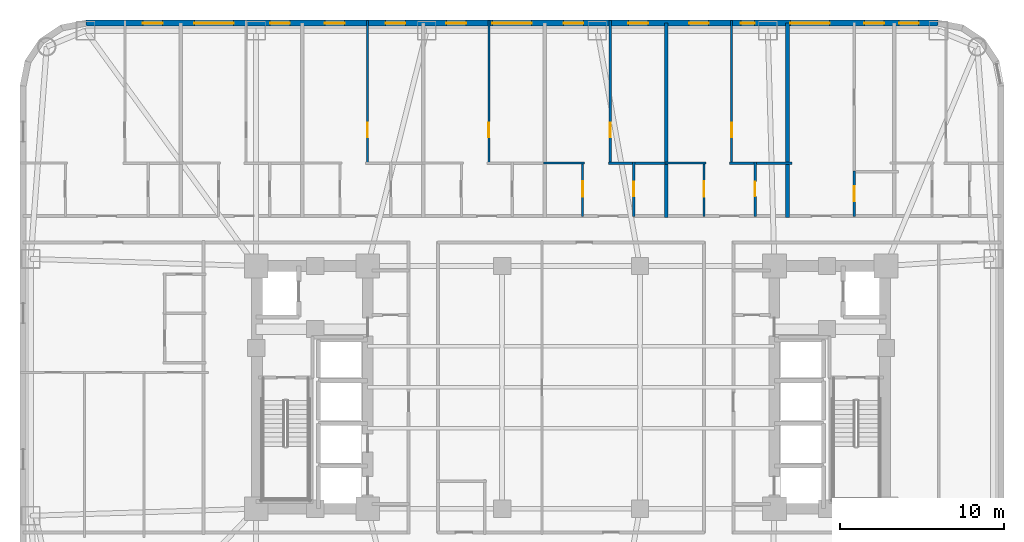
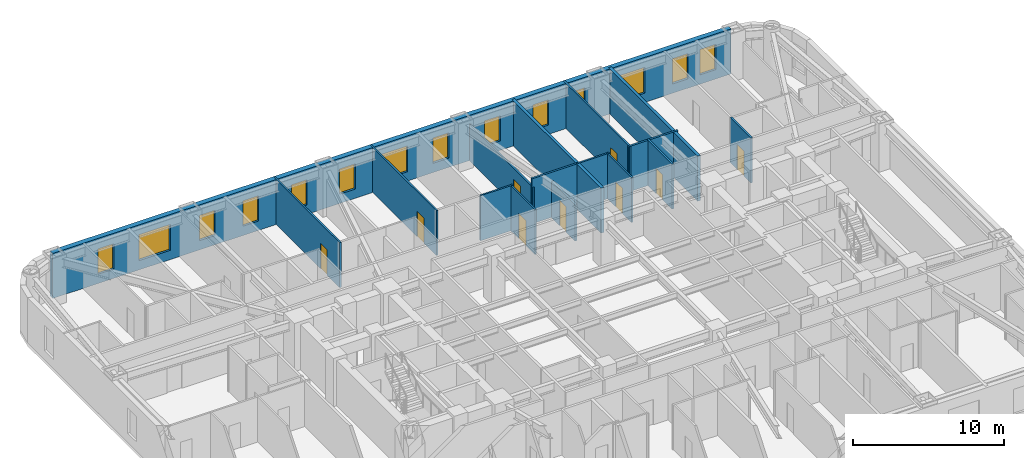
# One storey, part 8 of 11: 16 walls, 14 windows, 9 doors, 23 openings.
"""IFC4 building model written with IfcOpenShell, lengths in metres."""

import ifcopenshell
import ifcopenshell.guid

model = None  # the IFC model being written
_history = None  # IfcOwnerHistory: only IFC2X3 demands one
_inside = {}  # id of a spatial element -> (the spatial element, [elements in it])
_under = {}  # id of a project, library or spatial element -> (it, [spatial elements below it])
_declared = {}  # id of a project -> (the project, [libraries it declares])
_typed = {}  # id of a type object -> (the type object, [elements of that type])
_made_of = {}  # id of a material, layer set ... -> (it, [elements and type objects made of it])


def new_model(schema):
    """Start an empty IFC model of exactly this schema.

    Asked for "IFC4X3", IfcOpenShell would pick the latest addendum, in which some entities
    have other attributes; the version numbers below select the first issue.
    IFC2X3 requires an IfcOwnerHistory on every rooted entity: one is made here for all.
    """
    global model, _history
    if schema == "IFC4X3":
        model = ifcopenshell.file(schema_version=(4, 3, 0, 0))
    else:
        model = ifcopenshell.file(schema=schema)
    _inside.clear()
    _under.clear()
    _declared.clear()
    _typed.clear()
    _made_of.clear()
    _history = None
    if model.schema == "IFC2X3":
        org = make("IfcOrganization", Name="unknown")
        user = make(
            "IfcPersonAndOrganization",
            ThePerson=make("IfcPerson", FamilyName="unknown"),
            TheOrganization=org,
        )
        app = make(
            "IfcApplication",
            ApplicationDeveloper=org,
            Version="unknown",
            ApplicationFullName="unknown",
            ApplicationIdentifier="unknown",
        )
        _history = make(
            "IfcOwnerHistory",
            OwningUser=user,
            OwningApplication=app,
            ChangeAction="ADDED",
            CreationDate=0,
        )
    return model


def make(cls, **values):
    """One entity of the class cls with the attributes given. An attribute that is None is left unset."""
    return model.create_entity(
        cls, **{name: value for name, value in values.items() if value is not None}
    )


def rooted(cls, **values):
    """An entity with a GlobalId (a new one), such as an element, a storey or a relation."""
    return make(cls, GlobalId=ifcopenshell.guid.new(), OwnerHistory=_history, **values)


def si_unit(unit_type, name, prefix=None):
    """IfcSIUnit, for example si_unit("LENGTHUNIT", "METRE", prefix="MILLI")."""
    return make("IfcSIUnit", UnitType=unit_type, Prefix=prefix, Name=name)


def assignment(units):
    """IfcUnitAssignment: the units of a project."""
    return None if units is None else make("IfcUnitAssignment", Units=units)


def point(xyz):
    """IfcCartesianPoint."""
    return None if xyz is None else make("IfcCartesianPoint", Coordinates=xyz)


def direction(xyz):
    """IfcDirection."""
    return None if xyz is None else make("IfcDirection", DirectionRatios=xyz)


def frame(location, z_axis=None, x_axis=None):
    """IfcAxis2Placement3D, a coordinate frame: its origin and axes. An axis left out is left unset."""
    return make(
        "IfcAxis2Placement3D",
        Location=point(location),
        Axis=direction(z_axis),
        RefDirection=direction(x_axis),
    )


def frame_2d(location, x_axis=None):
    """IfcAxis2Placement2D, a coordinate frame in the plane: its origin and x axis."""
    return make(
        "IfcAxis2Placement2D", Location=point(location), RefDirection=direction(x_axis)
    )


def origin():
    """The frame at (0, 0, 0) with its axes left unset."""
    return frame((0.0, 0.0, 0.0))


def place(relative_to, where):
    """IfcLocalPlacement: puts the frame where relative to a parent placement (None: the world)."""
    return make(
        "IfcLocalPlacement", PlacementRelTo=relative_to, RelativePlacement=where
    )


def context(
    kind, dimensions, precision=None, world=None, true_north=None, identifier=None
):
    """IfcGeometricRepresentationContext, for example the 3D "Model" context."""
    return make(
        "IfcGeometricRepresentationContext",
        ContextIdentifier=identifier,
        ContextType=kind,
        CoordinateSpaceDimension=dimensions,
        Precision=precision,
        WorldCoordinateSystem=world,
        TrueNorth=true_north,
    )


def subcontext(parent, identifier, kind, view, scale=None):
    """IfcGeometricRepresentationSubContext, for example "Body" below "Model"."""
    return make(
        "IfcGeometricRepresentationSubContext",
        ContextIdentifier=identifier,
        ContextType=kind,
        ParentContext=parent,
        TargetScale=scale,
        TargetView=view,
    )


def project(units=None, contexts=None):
    """IfcProject with its units and contexts."""
    return rooted(
        "IfcProject",
        Name="project",
        RepresentationContexts=contexts,
        UnitsInContext=assignment(units),
    )


def spatial(cls, under=None, at=None, **own):
    """A site, building, storey or space (cls), placed at a placement, below another one or the project."""
    s = rooted(cls, ObjectPlacement=at, **own)
    if under is not None:
        _under.setdefault(under.id(), (under, []))[1].append(s)
    return s


def profile(cls, at=None, kind="AREA", **sizes):
    """A parametric profile (cls). Its sizes go by their IFC names, for example OverallWidth=200.0."""
    return make(cls, ProfileType=kind, Position=at, **sizes)


def rectangle(**sizes):
    """IfcRectangleProfileDef."""
    return profile("IfcRectangleProfileDef", **sizes)


def extrude(swept, where, along, depth):
    """IfcExtrudedAreaSolid: the profile swept, set in the frame where, extruded along a direction by depth."""
    return make(
        "IfcExtrudedAreaSolid",
        SweptArea=swept,
        Position=where,
        ExtrudedDirection=direction(along),
        Depth=depth,
    )


def shape(context_of_items, identifier, shape_type, items):
    """IfcShapeRepresentation: the items that make up one representation, for example the "Body"."""
    return make(
        "IfcShapeRepresentation",
        ContextOfItems=context_of_items,
        RepresentationIdentifier=identifier,
        RepresentationType=shape_type,
        Items=items,
    )


def material(Name=None, Category=None):
    """IfcMaterial."""
    return make("IfcMaterial", Name=Name, Category=Category)


def layer(
    of_material, thickness, ventilated=None, Name=None, Category=None, Priority=None
):
    """IfcMaterialLayer: one layer of a wall or slab, of a material (None: an air gap)."""
    return make(
        "IfcMaterialLayer",
        Material=of_material,
        LayerThickness=thickness,
        IsVentilated=ventilated,
        Name=Name,
        Category=Category,
        Priority=Priority,
    )


def layer_set(layers, Name=None):
    """IfcMaterialLayerSet."""
    return make("IfcMaterialLayerSet", MaterialLayers=layers, LayerSetName=Name)


def made_of(thing, what):
    """Note that an element or type object is made of a material, layer set ...; save() writes the relation."""
    if what is not None:
        _made_of.setdefault(what.id(), (what, []))[1].append(thing)
    return thing


def type_object(cls, material=None, **own):
    """A type object (cls), such as IfcWallType, which elements share."""
    return made_of(rooted(cls, **own), material)


def element(
    cls,
    number,
    at=None,
    inside=None,
    cuts=None,
    type_object=None,
    material=None,
    context=None,
    identifier="Body",
    shape_type=None,
    held_by="IfcProductDefinitionShape",
    body=None,
    shapes=None,
    **own,
):
    """One element of the class cls, such as IfcWall. Its Tag is "e" and its number.

    at: its placement. inside: the storey or other place that contains it. cuts: it is an
    opening in that element (IfcRelVoidsElement). A single representation is given by context,
    identifier, shape_type and body (its items); several are given by shapes. held_by: the class
    of the entity that holds the representations. save() writes the other relations.
    """
    e = rooted(cls, Tag="e%d" % number, ObjectPlacement=at, **own)
    if body is not None:
        shapes = [shape(context, identifier, shape_type, body)]
    if shapes is not None:
        e.Representation = make(held_by, Representations=shapes)
    if inside is not None:
        _inside.setdefault(inside.id(), (inside, []))[1].append(e)
    if cuts is not None:
        rooted(
            "IfcRelVoidsElement", RelatingBuildingElement=cuts, RelatedOpeningElement=e
        )
    if type_object is not None:
        _typed.setdefault(type_object.id(), (type_object, []))[1].append(e)
    return made_of(e, material)


def fill(opening, filler):
    """IfcRelFillsElement: the door or window that sits in an opening."""
    return rooted(
        "IfcRelFillsElement",
        RelatingOpeningElement=opening,
        RelatedBuildingElement=filler,
    )


def aggregate(whole, parts):
    """IfcRelAggregates: a whole, such as a stair, and the parts it consists of."""
    return rooted("IfcRelAggregates", RelatingObject=whole, RelatedObjects=parts)


def save(model, path):
    """Write the relations noted so far, then the file.

    IfcRelAggregates (storeys below a building ...), IfcRelContainedInSpatialStructure (elements
    in a storey), IfcRelDefinesByType, IfcRelAssociatesMaterial and IfcRelDeclares: one each for
    every whole, place, type object, material and project.
    """
    for whole, parts in _under.values():
        aggregate(whole, parts)
    for where, things in _inside.values():
        rooted(
            "IfcRelContainedInSpatialStructure",
            RelatedElements=things,
            RelatingStructure=where,
        )
    for kind, things in _typed.values():
        rooted("IfcRelDefinesByType", RelatedObjects=things, RelatingType=kind)
    for what, things in _made_of.values():
        rooted("IfcRelAssociatesMaterial", RelatedObjects=things, RelatingMaterial=what)
    for by, libraries in _declared.values():
        rooted("IfcRelDeclares", RelatingContext=by, RelatedDefinitions=libraries)
    model.write(path)


model = new_model("IFC4")

# Units and contexts
model_context = context("Model", 3, precision=1e-05, world=origin(), true_north=direction((0.0, 1.0)))
body_context = subcontext(model_context, "Body", "Model", "MODEL_VIEW")
ifc_project = project(units=[si_unit("LENGTHUNIT", "METRE"), si_unit("AREAUNIT", "SQUARE_METRE"), si_unit("VOLUMEUNIT", "CUBIC_METRE"), si_unit("PLANEANGLEUNIT", "RADIAN"), si_unit("MASSUNIT", "GRAM", prefix="KILO")], contexts=[model_context])

# Site, building, storey
site_placement = place(None, origin())
site = spatial("IfcSite", under=ifc_project, at=site_placement, CompositionType="ELEMENT")
building_placement = place(site_placement, origin())
building = spatial("IfcBuilding", under=site, at=building_placement, Name="Voryun Gate Residences", CompositionType="ELEMENT")
storey_placement = place(building_placement, frame((0.0, 0.0, 57.199951171875)))
storey = spatial("IfcBuildingStorey", under=building, at=storey_placement, Name="L13", CompositionType="ELEMENT", Elevation=57.199951171875)

# Wall, openings, windows
ifc_material_1 = material(Name="Granite masonry", Category="masonry")
ifc_layer_1 = layer(ifc_material_1, 0.3798828125, Name="W_EXT_GRANITE_380")
ifc_layer_set_1 = layer_set([ifc_layer_1], Name="Granite masonry")
wall_type_1 = type_object("IfcWallType", Name="W_EXT_GRANITE_380", PredefinedType="ELEMENTEDWALL", material=ifc_layer_set_1)
wall_1_placement = place(storey_placement, frame((-29.581298828125, 22.2099609375, 0.0), z_axis=(0.0, 0.0, 1.0), x_axis=(1.0, 0.0, 0.0)))
wall_1 = element("IfcWall", 1, at=wall_1_placement, inside=storey, type_object=wall_type_1, Name="Exterior wall WEXT-L13-11", PredefinedType="ELEMENTEDWALL", context=body_context, shape_type="SweptSolid", body=[
    extrude(rectangle(XDim=51.962646484375, YDim=0.3798828125, at=frame_2d((25.9814453125, 0.0))), origin(), (0.0, 0.0, 1.0), 3.650146484375),
])
opening_1_placement = place(wall_1_placement, frame((6.6103515625, 0.0, 0.75)))
opening_1 = element("IfcOpeningElement", 2, at=opening_1_placement, cuts=wall_1, Name="Opening WN2", PredefinedType="OPENING", context=body_context, shape_type="SweptSolid", body=[
    extrude(rectangle(XDim=2.39990234375, YDim=2.10009765625, at=frame_2d((1.199951171875, 1.050048828125))), frame((0.0, 0.199951171875, 0.0), z_axis=(0.0, -1.0, 0.0), x_axis=(1.0, 0.0, 0.0)), (0.0, 0.0, 1.0), 0.39990234375),
])
opening_2_placement = place(wall_1_placement, frame((24.78125, 0.0, 0.75)))
opening_2 = element("IfcOpeningElement", 3, at=opening_2_placement, cuts=wall_1, Name="Opening WN2", PredefinedType="OPENING", context=body_context, shape_type="SweptSolid", body=[
    extrude(rectangle(XDim=2.39990234375, YDim=2.10009765625, at=frame_2d((1.199951171875, 1.050048828125))), frame((0.0, 0.199951171875, 0.0), z_axis=(0.0, -1.0, 0.0), x_axis=(1.0, 0.0, 0.0)), (0.0, 0.0, 1.0), 0.39990234375),
])
opening_3_placement = place(wall_1_placement, frame((42.9521484375, 0.0, 0.75)))
opening_3 = element("IfcOpeningElement", 4, at=opening_3_placement, cuts=wall_1, Name="Opening WN2", PredefinedType="OPENING", context=body_context, shape_type="SweptSolid", body=[
    extrude(rectangle(XDim=2.39990234375, YDim=2.10009765625, at=frame_2d((1.199951171875, 1.050048828125))), frame((0.0, 0.199951171875, 0.0), z_axis=(0.0, -1.0, 0.0), x_axis=(1.0, 0.0, 0.0)), (0.0, 0.0, 1.0), 0.39990234375),
])
opening_4_placement = place(wall_1_placement, frame((3.476318359375, 0.0, 0.75)))
opening_4 = element("IfcOpeningElement", 5, at=opening_4_placement, cuts=wall_1, Name="Opening WN6", PredefinedType="OPENING", context=body_context, shape_type="SweptSolid", body=[
    extrude(rectangle(XDim=1.199951171875, YDim=2.050048828125, at=frame_2d((0.60009765625, 1.02490234375))), frame((0.0, 0.199951171875, 0.0), z_axis=(0.0, -1.0, 0.0), x_axis=(1.0, 0.0, 0.0)), (0.0, 0.0, 1.0), 0.39990234375),
])
opening_5_placement = place(wall_1_placement, frame((11.236328125, 0.0, 0.75)))
opening_5 = element("IfcOpeningElement", 6, at=opening_5_placement, cuts=wall_1, Name="Opening WN6", PredefinedType="OPENING", context=body_context, shape_type="SweptSolid", body=[
    extrude(rectangle(XDim=1.199951171875, YDim=2.050048828125, at=frame_2d((0.60009765625, 1.02490234375))), frame((0.0, 0.199951171875, 0.0), z_axis=(0.0, -1.0, 0.0), x_axis=(1.0, 0.0, 0.0)), (0.0, 0.0, 1.0), 0.39990234375),
])
opening_6_placement = place(wall_1_placement, frame((14.576416015625, 0.0, 0.75)))
opening_6 = element("IfcOpeningElement", 7, at=opening_6_placement, cuts=wall_1, Name="Opening WN6", PredefinedType="OPENING", context=body_context, shape_type="SweptSolid", body=[
    extrude(rectangle(XDim=1.199951171875, YDim=2.050048828125, at=frame_2d((0.60009765625, 1.02490234375))), frame((0.0, 0.199951171875, 0.0), z_axis=(0.0, -1.0, 0.0), x_axis=(1.0, 0.0, 0.0)), (0.0, 0.0, 1.0), 0.39990234375),
])
opening_7_placement = place(wall_1_placement, frame((18.2763671875, 0.0, 0.75)))
opening_7 = element("IfcOpeningElement", 8, at=opening_7_placement, cuts=wall_1, Name="Opening WN6", PredefinedType="OPENING", context=body_context, shape_type="SweptSolid", body=[
    extrude(rectangle(XDim=1.199951171875, YDim=2.050048828125, at=frame_2d((0.60009765625, 1.02490234375))), frame((0.0, 0.199951171875, 0.0), z_axis=(0.0, -1.0, 0.0), x_axis=(1.0, 0.0, 0.0)), (0.0, 0.0, 1.0), 0.39990234375),
])
opening_8_placement = place(wall_1_placement, frame((21.976318359375, 0.0, 0.75)))
opening_8 = element("IfcOpeningElement", 9, at=opening_8_placement, cuts=wall_1, Name="Opening WN6", PredefinedType="OPENING", context=body_context, shape_type="SweptSolid", body=[
    extrude(rectangle(XDim=1.199951171875, YDim=2.050048828125, at=frame_2d((0.60009765625, 1.02490234375))), frame((0.0, 0.199951171875, 0.0), z_axis=(0.0, -1.0, 0.0), x_axis=(1.0, 0.0, 0.0)), (0.0, 0.0, 1.0), 0.39990234375),
])
opening_9_placement = place(wall_1_placement, frame((29.13623046875, 0.0, 0.75)))
opening_9 = element("IfcOpeningElement", 10, at=opening_9_placement, cuts=wall_1, Name="Opening WN6", PredefinedType="OPENING", context=body_context, shape_type="SweptSolid", body=[
    extrude(rectangle(XDim=1.199951171875, YDim=2.050048828125, at=frame_2d((0.60009765625, 1.02490234375))), frame((0.0, 0.199951171875, 0.0), z_axis=(0.0, -1.0, 0.0), x_axis=(1.0, 0.0, 0.0)), (0.0, 0.0, 1.0), 0.39990234375),
])
opening_10_placement = place(wall_1_placement, frame((33.076416015625, 0.0, 0.75)))
opening_10 = element("IfcOpeningElement", 11, at=opening_10_placement, cuts=wall_1, Name="Opening WN6", PredefinedType="OPENING", context=body_context, shape_type="SweptSolid", body=[
    extrude(rectangle(XDim=1.199951171875, YDim=2.050048828125, at=frame_2d((0.60009765625, 1.02490234375))), frame((0.0, 0.199951171875, 0.0), z_axis=(0.0, -1.0, 0.0), x_axis=(1.0, 0.0, 0.0)), (0.0, 0.0, 1.0), 0.39990234375),
])
opening_11_placement = place(wall_1_placement, frame((36.7763671875, 0.0, 0.75)))
opening_11 = element("IfcOpeningElement", 12, at=opening_11_placement, cuts=wall_1, Name="Opening WN6", PredefinedType="OPENING", context=body_context, shape_type="SweptSolid", body=[
    extrude(rectangle(XDim=1.199951171875, YDim=2.050048828125, at=frame_2d((0.60009765625, 1.02490234375))), frame((0.0, 0.199951171875, 0.0), z_axis=(0.0, -1.0, 0.0), x_axis=(1.0, 0.0, 0.0)), (0.0, 0.0, 1.0), 0.39990234375),
])
opening_12_placement = place(wall_1_placement, frame((39.931396484375, 0.0, 0.75)))
opening_12 = element("IfcOpeningElement", 13, at=opening_12_placement, cuts=wall_1, Name="Opening WN9", PredefinedType="OPENING", context=body_context, shape_type="SweptSolid", body=[
    extrude(rectangle(XDim=0.85009765625, YDim=2.050048828125, at=frame_2d((0.425048828125, 1.02490234375))), frame((0.0, 0.199951171875, 0.0), z_axis=(0.0, -1.0, 0.0), x_axis=(1.0, 0.0, 0.0)), (0.0, 0.0, 1.0), 0.39990234375),
])
opening_13_placement = place(wall_1_placement, frame((47.46875, 0.0, 0.75)))
opening_13 = element("IfcOpeningElement", 14, at=opening_13_placement, cuts=wall_1, Name="Opening WN6", PredefinedType="OPENING", context=body_context, shape_type="SweptSolid", body=[
    extrude(rectangle(XDim=1.199951171875, YDim=2.050048828125, at=frame_2d((0.60009765625, 1.02490234375))), frame((0.0, 0.199951171875, 0.0), z_axis=(0.0, -1.0, 0.0), x_axis=(1.0, 0.0, 0.0)), (0.0, 0.0, 1.0), 0.39990234375),
])
opening_14_placement = place(wall_1_placement, frame((49.581298828125, 0.0, 0.75)))
opening_14 = element("IfcOpeningElement", 15, at=opening_14_placement, cuts=wall_1, Name="Opening WN6", PredefinedType="OPENING", context=body_context, shape_type="SweptSolid", body=[
    extrude(rectangle(XDim=1.199951171875, YDim=2.050048828125, at=frame_2d((0.60009765625, 1.02490234375))), frame((0.0, 0.199951171875, 0.0), z_axis=(0.0, -1.0, 0.0), x_axis=(1.0, 0.0, 0.0)), (0.0, 0.0, 1.0), 0.39990234375),
])
ifc_material_2 = material(Name="Laminated low-E glass", Category="glass")
window_type_1 = type_object("IfcWindowType", Name="WN_POD_SLOT_1200", PartitioningType="SINGLE_PANEL", PredefinedType="WINDOW", material=ifc_material_2)
window_1_placement = place(opening_4_placement, origin())
window_1 = element("IfcWindow", 16, at=window_1_placement, inside=storey, type_object=window_type_1, Name="Window WN-L13-DWFIX-02", OverallHeight=2.050048828125, OverallWidth=1.199951171875, PartitioningType="SINGLE_PANEL", PredefinedType="WINDOW", context=body_context, shape_type="SweptSolid", body=[
    extrude(rectangle(XDim=1.199951171875, YDim=2.050048828125, at=frame_2d((0.60009765625, 1.02490234375))), frame((0.0, 0.030029296875, 0.0), z_axis=(0.0, -1.0, 0.0), x_axis=(1.0, 0.0, 0.0)), (0.0, 0.0, 1.0), 0.06005859375),
])
fill(opening_4, window_1)
window_2_placement = place(opening_5_placement, origin())
window_2 = element("IfcWindow", 17, at=window_2_placement, inside=storey, type_object=window_type_1, Name="Window WN-L13-DWFIX-03", OverallHeight=2.050048828125, OverallWidth=1.199951171875, PartitioningType="SINGLE_PANEL", PredefinedType="WINDOW", context=body_context, shape_type="SweptSolid", body=[
    extrude(rectangle(XDim=1.199951171875, YDim=2.050048828125, at=frame_2d((0.60009765625, 1.02490234375))), frame((0.0, 0.030029296875, 0.0), z_axis=(0.0, -1.0, 0.0), x_axis=(1.0, 0.0, 0.0)), (0.0, 0.0, 1.0), 0.06005859375),
])
fill(opening_5, window_2)
window_3_placement = place(opening_6_placement, origin())
window_3 = element("IfcWindow", 18, at=window_3_placement, inside=storey, type_object=window_type_1, Name="Window WN-L13-DWFIX-04", OverallHeight=2.050048828125, OverallWidth=1.199951171875, PartitioningType="SINGLE_PANEL", PredefinedType="WINDOW", context=body_context, shape_type="SweptSolid", body=[
    extrude(rectangle(XDim=1.199951171875, YDim=2.050048828125, at=frame_2d((0.60009765625, 1.02490234375))), frame((0.0, 0.030029296875, 0.0), z_axis=(0.0, -1.0, 0.0), x_axis=(1.0, 0.0, 0.0)), (0.0, 0.0, 1.0), 0.06005859375),
])
fill(opening_6, window_3)
window_4_placement = place(opening_7_placement, origin())
window_4 = element("IfcWindow", 19, at=window_4_placement, inside=storey, type_object=window_type_1, Name="Window WN-L13-DWFIX-05", OverallHeight=2.050048828125, OverallWidth=1.199951171875, PartitioningType="SINGLE_PANEL", PredefinedType="WINDOW", context=body_context, shape_type="SweptSolid", body=[
    extrude(rectangle(XDim=1.199951171875, YDim=2.050048828125, at=frame_2d((0.60009765625, 1.02490234375))), frame((0.0, 0.030029296875, 0.0), z_axis=(0.0, -1.0, 0.0), x_axis=(1.0, 0.0, 0.0)), (0.0, 0.0, 1.0), 0.06005859375),
])
fill(opening_7, window_4)
window_5_placement = place(opening_8_placement, origin())
window_5 = element("IfcWindow", 20, at=window_5_placement, inside=storey, type_object=window_type_1, Name="Window WN-L13-DWFIX-06", OverallHeight=2.050048828125, OverallWidth=1.199951171875, PartitioningType="SINGLE_PANEL", PredefinedType="WINDOW", context=body_context, shape_type="SweptSolid", body=[
    extrude(rectangle(XDim=1.199951171875, YDim=2.050048828125, at=frame_2d((0.60009765625, 1.02490234375))), frame((0.0, 0.030029296875, 0.0), z_axis=(0.0, -1.0, 0.0), x_axis=(1.0, 0.0, 0.0)), (0.0, 0.0, 1.0), 0.06005859375),
])
fill(opening_8, window_5)
window_6_placement = place(opening_9_placement, origin())
window_6 = element("IfcWindow", 21, at=window_6_placement, inside=storey, type_object=window_type_1, Name="Window WN-L13-DWFIX-07", OverallHeight=2.050048828125, OverallWidth=1.199951171875, PartitioningType="SINGLE_PANEL", PredefinedType="WINDOW", context=body_context, shape_type="SweptSolid", body=[
    extrude(rectangle(XDim=1.199951171875, YDim=2.050048828125, at=frame_2d((0.60009765625, 1.02490234375))), frame((0.0, 0.030029296875, 0.0), z_axis=(0.0, -1.0, 0.0), x_axis=(1.0, 0.0, 0.0)), (0.0, 0.0, 1.0), 0.06005859375),
])
fill(opening_9, window_6)
window_7_placement = place(opening_10_placement, origin())
window_7 = element("IfcWindow", 22, at=window_7_placement, inside=storey, type_object=window_type_1, Name="Window WN-L13-DWFIX-08", OverallHeight=2.050048828125, OverallWidth=1.199951171875, PartitioningType="SINGLE_PANEL", PredefinedType="WINDOW", context=body_context, shape_type="SweptSolid", body=[
    extrude(rectangle(XDim=1.199951171875, YDim=2.050048828125, at=frame_2d((0.60009765625, 1.02490234375))), frame((0.0, 0.030029296875, 0.0), z_axis=(0.0, -1.0, 0.0), x_axis=(1.0, 0.0, 0.0)), (0.0, 0.0, 1.0), 0.06005859375),
])
fill(opening_10, window_7)
window_8_placement = place(opening_11_placement, origin())
window_8 = element("IfcWindow", 23, at=window_8_placement, inside=storey, type_object=window_type_1, Name="Window WN-L13-DWFIX-09", OverallHeight=2.050048828125, OverallWidth=1.199951171875, PartitioningType="SINGLE_PANEL", PredefinedType="WINDOW", context=body_context, shape_type="SweptSolid", body=[
    extrude(rectangle(XDim=1.199951171875, YDim=2.050048828125, at=frame_2d((0.60009765625, 1.02490234375))), frame((0.0, 0.030029296875, 0.0), z_axis=(0.0, -1.0, 0.0), x_axis=(1.0, 0.0, 0.0)), (0.0, 0.0, 1.0), 0.06005859375),
])
fill(opening_11, window_8)
window_9_placement = place(opening_13_placement, origin())
window_9 = element("IfcWindow", 24, at=window_9_placement, inside=storey, type_object=window_type_1, Name="Window WN-L13-DWFIX-11", OverallHeight=2.050048828125, OverallWidth=1.199951171875, PartitioningType="SINGLE_PANEL", PredefinedType="WINDOW", context=body_context, shape_type="SweptSolid", body=[
    extrude(rectangle(XDim=1.199951171875, YDim=2.050048828125, at=frame_2d((0.60009765625, 1.02490234375))), frame((0.0, 0.030029296875, 0.0), z_axis=(0.0, -1.0, 0.0), x_axis=(1.0, 0.0, 0.0)), (0.0, 0.0, 1.0), 0.06005859375),
])
fill(opening_13, window_9)
window_10_placement = place(opening_14_placement, origin())
window_10 = element("IfcWindow", 25, at=window_10_placement, inside=storey, type_object=window_type_1, Name="Window WN-L13-DWFIX-12", OverallHeight=2.050048828125, OverallWidth=1.199951171875, PartitioningType="SINGLE_PANEL", PredefinedType="WINDOW", context=body_context, shape_type="SweptSolid", body=[
    extrude(rectangle(XDim=1.199951171875, YDim=2.050048828125, at=frame_2d((0.60009765625, 1.02490234375))), frame((0.0, 0.030029296875, 0.0), z_axis=(0.0, -1.0, 0.0), x_axis=(1.0, 0.0, 0.0)), (0.0, 0.0, 1.0), 0.06005859375),
])
fill(opening_14, window_10)
ifc_material_3 = material(Name="Laminated low-E glass", Category="glass")
window_type_2 = type_object("IfcWindowType", Name="WN_RES_CASEMENT_850", PartitioningType="SINGLE_PANEL", PredefinedType="WINDOW", material=ifc_material_3)
window_11_placement = place(opening_12_placement, origin())
window_11 = element("IfcWindow", 26, at=window_11_placement, inside=storey, type_object=window_type_2, Name="Window WN-L13-DWFIX-10", OverallHeight=2.050048828125, OverallWidth=0.85009765625, PartitioningType="SINGLE_PANEL", PredefinedType="WINDOW", context=body_context, shape_type="SweptSolid", body=[
    extrude(rectangle(XDim=0.85009765625, YDim=2.050048828125, at=frame_2d((0.425048828125, 1.02490234375))), frame((0.0, 0.030029296875, 0.0), z_axis=(0.0, -1.0, 0.0), x_axis=(1.0, 0.0, 0.0)), (0.0, 0.0, 1.0), 0.06005859375),
])
fill(opening_12, window_11)
ifc_material_4 = material(Name="Laminated low-E glass", Category="glass")
window_type_3 = type_object("IfcWindowType", Name="WN_RES_WIDE_2400", PartitioningType="SINGLE_PANEL", PredefinedType="WINDOW", material=ifc_material_4)
window_12_placement = place(opening_1_placement, origin())
window_12 = element("IfcWindow", 27, at=window_12_placement, inside=storey, type_object=window_type_3, Name="Window WN-WEXT-L13-11-01", OverallHeight=2.10009765625, OverallWidth=2.39990234375, PartitioningType="SINGLE_PANEL", PredefinedType="WINDOW", context=body_context, shape_type="SweptSolid", body=[
    extrude(rectangle(XDim=2.39990234375, YDim=2.10009765625, at=frame_2d((1.199951171875, 1.050048828125))), frame((0.0, 0.030029296875, 0.0), z_axis=(0.0, -1.0, 0.0), x_axis=(1.0, 0.0, 0.0)), (0.0, 0.0, 1.0), 0.06005859375),
])
fill(opening_1, window_12)
window_13_placement = place(opening_2_placement, origin())
window_13 = element("IfcWindow", 28, at=window_13_placement, inside=storey, type_object=window_type_3, Name="Window WN-WEXT-L13-11-02", OverallHeight=2.10009765625, OverallWidth=2.39990234375, PartitioningType="SINGLE_PANEL", PredefinedType="WINDOW", context=body_context, shape_type="SweptSolid", body=[
    extrude(rectangle(XDim=2.39990234375, YDim=2.10009765625, at=frame_2d((1.199951171875, 1.050048828125))), frame((0.0, 0.030029296875, 0.0), z_axis=(0.0, -1.0, 0.0), x_axis=(1.0, 0.0, 0.0)), (0.0, 0.0, 1.0), 0.06005859375),
])
fill(opening_2, window_13)
window_14_placement = place(opening_3_placement, origin())
window_14 = element("IfcWindow", 29, at=window_14_placement, inside=storey, type_object=window_type_3, Name="Window WN-WEXT-L13-11-03", OverallHeight=2.10009765625, OverallWidth=2.39990234375, PartitioningType="SINGLE_PANEL", PredefinedType="WINDOW", context=body_context, shape_type="SweptSolid", body=[
    extrude(rectangle(XDim=2.39990234375, YDim=2.10009765625, at=frame_2d((1.199951171875, 1.050048828125))), frame((0.0, 0.030029296875, 0.0), z_axis=(0.0, -1.0, 0.0), x_axis=(1.0, 0.0, 0.0)), (0.0, 0.0, 1.0), 0.06005859375),
])
fill(opening_3, window_14)

# Walls
ifc_material_5 = material(Name="Concrete C40/50", Category="concrete")
ifc_layer_2 = layer(ifc_material_5, 0.219970703125, Name="W_PARTY_ACOUSTIC_220")
ifc_layer_set_2 = layer_set([ifc_layer_2], Name="Concrete C40/50")
wall_type_2 = type_object("IfcWallType", Name="W_PARTY_ACOUSTIC_220", PredefinedType="PARTITIONING", material=ifc_layer_set_2)
for number, where, z_axis, x_axis, name in (
    (30, (5.800048828125, 10.3701171875, 0.0), (0.0, 0.0, 1.0), (0.0, 1.0, 0.0), "Partition wall WP-L13-NPTY-5"),
    (31, (13.199951171875, 10.3701171875, 0.0), (0.0, 0.0, 1.0), (0.0, 1.0, 0.0), "Partition wall WP-L13-NPTY-6"),
):
    element("IfcWall", number, at=place(storey_placement, frame(where, z_axis=z_axis, x_axis=x_axis)), inside=storey, type_object=wall_type_2, Name=name, PredefinedType="PARTITIONING", context=body_context, shape_type="SweptSolid", body=[
        extrude(rectangle(XDim=11.83984375, YDim=0.219970703125, at=frame_2d((5.919921875, 0.0))), origin(), (0.0, 0.0, 1.0), 3.650146484375),
    ])

# Wall, opening, door
ifc_material_6 = material(Name="Gypsum acoustic partition")
ifc_layer_3 = layer(ifc_material_6, 0.125, Name="W_UNIT_PART_125")
ifc_layer_set_3 = layer_set([ifc_layer_3], Name="Gypsum acoustic partition")
wall_type_3 = type_object("IfcWallType", Name="W_UNIT_PART_125", PredefinedType="PARTITIONING", material=ifc_layer_set_3)
wall_2_placement = place(storey_placement, frame((-12.409912109375, 13.590087890625, 0.0), z_axis=(0.0, 0.0, 1.0), x_axis=(0.0, 1.0, 0.0)))
wall_2 = element("IfcWall", 32, at=wall_2_placement, inside=storey, type_object=wall_type_3, Name="Partition wall WP-L13-N3-OVR", PredefinedType="PARTITIONING", context=body_context, shape_type="SweptSolid", body=[
    extrude(rectangle(XDim=8.77001953125, YDim=0.125, at=frame_2d((4.385009765625, 0.0))), origin(), (0.0, 0.0, 1.0), 3.650146484375),
])
opening_15_placement = place(wall_2_placement, frame((1.65478515625, 0.0, 0.0)))
opening_15 = element("IfcOpeningElement", 33, at=opening_15_placement, cuts=wall_2, Name="Opening D-INT-2", PredefinedType="OPENING", context=body_context, shape_type="SweptSolid", body=[
    extrude(rectangle(XDim=0.89990234375, YDim=2.050048828125, at=frame_2d((0.449951171875, 1.02490234375))), frame((0.0, 0.072509765625, 0.0), z_axis=(0.0, -1.0, 0.0), x_axis=(1.0, 0.0, 0.0)), (0.0, 0.0, 1.0), 0.14501953125),
])
ifc_material_7 = material(Name="Architectural oak veneer")
door_type_1 = type_object("IfcDoorType", Name="DR_INT_BATH_900", OperationType="NOTDEFINED", PredefinedType="DOOR", material=ifc_material_7)
door_1_placement = place(opening_15_placement, origin())
door_1 = element("IfcDoor", 34, at=door_1_placement, inside=storey, type_object=door_type_1, Name="Door DR-L13-N3-DMB", OperationType="SINGLE_SWING_RIGHT", OverallHeight=2.050048828125, OverallWidth=0.89990234375, PredefinedType="DOOR", context=body_context, shape_type="SweptSolid", body=[
    extrude(rectangle(XDim=0.89990234375, YDim=2.050048828125, at=frame_2d((0.449951171875, 1.02490234375))), frame((0.0, 0.02490234375, 0.0), z_axis=(0.0, -1.0, 0.0), x_axis=(1.0, 0.0, 0.0)), (0.0, 0.0, 1.0), 0.050048828125),
])
fill(opening_15, door_1)

wall_3_placement = place(storey_placement, frame((-5.010009765625, 13.590087890625, 0.0), z_axis=(0.0, 0.0, 1.0), x_axis=(0.0, 1.0, 0.0)))
wall_3 = element("IfcWall", 35, at=wall_3_placement, inside=storey, type_object=wall_type_3, Name="Partition wall WP-L13-N4-OVR", PredefinedType="PARTITIONING", context=body_context, shape_type="SweptSolid", body=[
    extrude(rectangle(XDim=8.77001953125, YDim=0.125, at=frame_2d((4.385009765625, 0.0))), origin(), (0.0, 0.0, 1.0), 3.650146484375),
])
opening_16_placement = place(wall_3_placement, frame((1.65478515625, 0.0, 0.0)))
opening_16 = element("IfcOpeningElement", 36, at=opening_16_placement, cuts=wall_3, Name="Opening D-INT-2", PredefinedType="OPENING", context=body_context, shape_type="SweptSolid", body=[
    extrude(rectangle(XDim=0.89990234375, YDim=2.050048828125, at=frame_2d((0.449951171875, 1.02490234375))), frame((0.0, 0.072509765625, 0.0), z_axis=(0.0, -1.0, 0.0), x_axis=(1.0, 0.0, 0.0)), (0.0, 0.0, 1.0), 0.14501953125),
])
door_2_placement = place(opening_16_placement, origin())
door_2 = element("IfcDoor", 37, at=door_2_placement, inside=storey, type_object=door_type_1, Name="Door DR-L13-N4-DMB", OperationType="SINGLE_SWING_RIGHT", OverallHeight=2.050048828125, OverallWidth=0.89990234375, PredefinedType="DOOR", context=body_context, shape_type="SweptSolid", body=[
    extrude(rectangle(XDim=0.89990234375, YDim=2.050048828125, at=frame_2d((0.449951171875, 1.02490234375))), frame((0.0, 0.02490234375, 0.0), z_axis=(0.0, -1.0, 0.0), x_axis=(1.0, 0.0, 0.0)), (0.0, 0.0, 1.0), 0.050048828125),
])
fill(opening_16, door_2)

wall_4_placement = place(storey_placement, frame((2.389892578125, 13.590087890625, 0.0), z_axis=(0.0, 0.0, 1.0), x_axis=(0.0, 1.0, 0.0)))
wall_4 = element("IfcWall", 38, at=wall_4_placement, inside=storey, type_object=wall_type_3, Name="Partition wall WP-L13-N5-OVR", PredefinedType="PARTITIONING", context=body_context, shape_type="SweptSolid", body=[
    extrude(rectangle(XDim=8.77001953125, YDim=0.125, at=frame_2d((4.385009765625, 0.0))), origin(), (0.0, 0.0, 1.0), 2.93994140625),
])
opening_17_placement = place(wall_4_placement, frame((1.65478515625, 0.0, 0.0)))
opening_17 = element("IfcOpeningElement", 39, at=opening_17_placement, cuts=wall_4, Name="Opening D-INT-2", PredefinedType="OPENING", context=body_context, shape_type="SweptSolid", body=[
    extrude(rectangle(XDim=0.89990234375, YDim=2.050048828125, at=frame_2d((0.449951171875, 1.02490234375))), frame((0.0, 0.072509765625, 0.0), z_axis=(0.0, -1.0, 0.0), x_axis=(1.0, 0.0, 0.0)), (0.0, 0.0, 1.0), 0.14501953125),
])
door_3_placement = place(opening_17_placement, origin())
door_3 = element("IfcDoor", 40, at=door_3_placement, inside=storey, type_object=door_type_1, Name="Door DR-L13-N5-DMB", OperationType="SINGLE_SWING_RIGHT", OverallHeight=2.050048828125, OverallWidth=0.89990234375, PredefinedType="DOOR", context=body_context, shape_type="SweptSolid", body=[
    extrude(rectangle(XDim=0.89990234375, YDim=2.050048828125, at=frame_2d((0.449951171875, 1.02490234375))), frame((0.0, 0.02490234375, 0.0), z_axis=(0.0, -1.0, 0.0), x_axis=(1.0, 0.0, 0.0)), (0.0, 0.0, 1.0), 0.050048828125),
])
fill(opening_17, door_3)

wall_5_placement = place(storey_placement, frame((0.7099609375, 10.429931640625, 0.0), z_axis=(0.0, 0.0, 1.0), x_axis=(0.0, 1.0, 0.0)))
wall_5 = element("IfcWall", 41, at=wall_5_placement, inside=storey, type_object=wall_type_3, Name="Partition wall WP-L13-N5-IVK", PredefinedType="PARTITIONING", context=body_context, shape_type="SweptSolid", body=[
    extrude(rectangle(XDim=3.320068359375, YDim=0.125, at=frame_2d((1.66015625, 0.0))), origin(), (0.0, 0.0, 1.0), 3.650146484375),
])
opening_18_placement = place(wall_5_placement, frame((1.18505859375, 0.0, 0.0)))
opening_18 = element("IfcOpeningElement", 42, at=opening_18_placement, cuts=wall_5, Name="Opening D-INT-1", PredefinedType="OPENING", context=body_context, shape_type="SweptSolid", body=[
    extrude(rectangle(XDim=0.949951171875, YDim=2.050048828125, at=frame_2d((0.47509765625, 1.02490234375))), frame((0.0, 0.072509765625, 0.0), z_axis=(0.0, -1.0, 0.0), x_axis=(1.0, 0.0, 0.0)), (0.0, 0.0, 1.0), 0.14501953125),
])
ifc_material_8 = material(Name="Architectural oak veneer")
door_type_2 = type_object("IfcDoorType", Name="DR_INT_ROOM_950", OperationType="NOTDEFINED", PredefinedType="DOOR", material=ifc_material_8)
door_4_placement = place(opening_18_placement, origin())
door_4 = element("IfcDoor", 43, at=door_4_placement, inside=storey, type_object=door_type_2, Name="Door DR-L13-N5-DK", OperationType="SINGLE_SWING_LEFT", OverallHeight=2.050048828125, OverallWidth=0.949951171875, PredefinedType="DOOR", context=body_context, shape_type="SweptSolid", body=[
    extrude(rectangle(XDim=0.949951171875, YDim=2.050048828125, at=frame_2d((0.47509765625, 1.02490234375))), frame((0.0, 0.02490234375, 0.0), z_axis=(0.0, -1.0, 0.0), x_axis=(1.0, 0.0, 0.0)), (0.0, 0.0, 1.0), 0.050048828125),
])
fill(opening_18, door_4)

# Wall
wall_6_placement = place(storey_placement, frame((-1.675048828125, 13.669921875, 0.0), z_axis=(0.0, 0.0, 1.0), x_axis=(1.0, 0.0, 0.0)))
element("IfcWall", 44, at=wall_6_placement, inside=storey, type_object=wall_type_3, Name="Partition wall WP-L13-N5-HZK", PredefinedType="PARTITIONING", context=body_context, shape_type="SweptSolid", body=[
    extrude(rectangle(XDim=2.505126953125, YDim=0.125, at=frame_2d((1.25244140625, 0.0))), origin(), (0.0, 0.0, 1.0), 3.650146484375),
])

# Wall, opening, door
wall_7_placement = place(storey_placement, frame((9.7900390625, 13.590087890625, 0.0), z_axis=(0.0, 0.0, 1.0), x_axis=(0.0, 1.0, 0.0)))
wall_7 = element("IfcWall", 45, at=wall_7_placement, inside=storey, type_object=wall_type_3, Name="Partition wall WP-L13-N6-OVR", PredefinedType="PARTITIONING", context=body_context, shape_type="SweptSolid", body=[
    extrude(rectangle(XDim=8.77001953125, YDim=0.125, at=frame_2d((4.385009765625, 0.0))), origin(), (0.0, 0.0, 1.0), 3.650146484375),
])
opening_19_placement = place(wall_7_placement, frame((1.65478515625, 0.0, 0.0)))
opening_19 = element("IfcOpeningElement", 46, at=opening_19_placement, cuts=wall_7, Name="Opening D-INT-2", PredefinedType="OPENING", context=body_context, shape_type="SweptSolid", body=[
    extrude(rectangle(XDim=0.89990234375, YDim=2.050048828125, at=frame_2d((0.449951171875, 1.02490234375))), frame((0.0, 0.072509765625, 0.0), z_axis=(0.0, -1.0, 0.0), x_axis=(1.0, 0.0, 0.0)), (0.0, 0.0, 1.0), 0.14501953125),
])
door_5_placement = place(opening_19_placement, origin())
door_5 = element("IfcDoor", 47, at=door_5_placement, inside=storey, type_object=door_type_1, Name="Door DR-L13-N6-DMB", OperationType="SINGLE_SWING_RIGHT", OverallHeight=2.050048828125, OverallWidth=0.89990234375, PredefinedType="DOOR", context=body_context, shape_type="SweptSolid", body=[
    extrude(rectangle(XDim=0.89990234375, YDim=2.050048828125, at=frame_2d((0.449951171875, 1.02490234375))), frame((0.0, 0.02490234375, 0.0), z_axis=(0.0, -1.0, 0.0), x_axis=(1.0, 0.0, 0.0)), (0.0, 0.0, 1.0), 0.050048828125),
])
fill(opening_19, door_5)

wall_8_placement = place(storey_placement, frame((8.110107421875, 10.429931640625, 0.0), z_axis=(0.0, 0.0, 1.0), x_axis=(0.0, 1.0, 0.0)))
wall_8 = element("IfcWall", 48, at=wall_8_placement, inside=storey, type_object=wall_type_3, Name="Partition wall WP-L13-N6-IVK", PredefinedType="PARTITIONING", context=body_context, shape_type="SweptSolid", body=[
    extrude(rectangle(XDim=3.320068359375, YDim=0.125, at=frame_2d((1.66015625, 0.0))), origin(), (0.0, 0.0, 1.0), 3.650146484375),
])
opening_20_placement = place(wall_8_placement, frame((1.18505859375, 0.0, 0.0)))
opening_20 = element("IfcOpeningElement", 49, at=opening_20_placement, cuts=wall_8, Name="Opening D-INT-1", PredefinedType="OPENING", context=body_context, shape_type="SweptSolid", body=[
    extrude(rectangle(XDim=0.949951171875, YDim=2.050048828125, at=frame_2d((0.47509765625, 1.02490234375))), frame((0.0, 0.072509765625, 0.0), z_axis=(0.0, -1.0, 0.0), x_axis=(1.0, 0.0, 0.0)), (0.0, 0.0, 1.0), 0.14501953125),
])
door_6_placement = place(opening_20_placement, origin())
door_6 = element("IfcDoor", 50, at=door_6_placement, inside=storey, type_object=door_type_2, Name="Door DR-L13-N6-DK", OperationType="SINGLE_SWING_LEFT", OverallHeight=2.050048828125, OverallWidth=0.949951171875, PredefinedType="DOOR", context=body_context, shape_type="SweptSolid", body=[
    extrude(rectangle(XDim=0.949951171875, YDim=2.050048828125, at=frame_2d((0.47509765625, 1.02490234375))), frame((0.0, 0.02490234375, 0.0), z_axis=(0.0, -1.0, 0.0), x_axis=(1.0, 0.0, 0.0)), (0.0, 0.0, 1.0), 0.050048828125),
])
fill(opening_20, door_6)

# Walls
wall_9_placement = place(storey_placement, frame((5.72509765625, 13.669921875, 0.0), z_axis=(0.0, 0.0, 1.0), x_axis=(1.0, 0.0, 0.0)))
element("IfcWall", 51, at=wall_9_placement, inside=storey, type_object=wall_type_3, Name="Partition wall WP-L13-N6-HZK", PredefinedType="PARTITIONING", context=body_context, shape_type="SweptSolid", body=[
    extrude(rectangle(XDim=2.5048828125, YDim=0.125, at=frame_2d((1.25244140625, 0.0))), origin(), (0.0, 0.0, 1.0), 3.650146484375),
])
ifc_material_9 = material(Name="Gypsum moisture-resistant partition")
ifc_layer_4 = layer(ifc_material_9, 0.14990234375, Name="W_WET_PLUMB_150")
ifc_layer_set_4 = layer_set([ifc_layer_4], Name="Gypsum moisture-resistant partition")
wall_type_4 = type_object("IfcWallType", Name="W_WET_PLUMB_150", PredefinedType="PLUMBINGWALL", material=ifc_layer_set_4)
wall_10_placement = place(storey_placement, frame((2.27001953125, 13.669921875, 0.0), z_axis=(0.0, 0.0, 1.0), x_axis=(1.0, 0.0, 0.0)))
element("IfcWall", 52, at=wall_10_placement, inside=storey, type_object=wall_type_4, Name="Partition wall WP-L13-N5-HZB", PredefinedType="PLUMBINGWALL", context=body_context, shape_type="SweptSolid", body=[
    extrude(rectangle(XDim=3.60498046875, YDim=0.14990234375, at=frame_2d((1.802490234375, 0.0))), origin(), (0.0, 0.0, 1.0), 3.650146484375),
])

# Wall, opening, door
wall_11_placement = place(storey_placement, frame((3.820068359375, 10.429931640625, 0.0), z_axis=(0.0, 0.0, 1.0), x_axis=(0.0, 1.0, 0.0)))
wall_11 = element("IfcWall", 53, at=wall_11_placement, inside=storey, type_object=wall_type_4, Name="Partition wall WP-L13-N5-IVB", PredefinedType="PLUMBINGWALL", context=body_context, shape_type="SweptSolid", body=[
    extrude(rectangle(XDim=3.320068359375, YDim=0.14990234375, at=frame_2d((1.66015625, 0.0))), origin(), (0.0, 0.0, 1.0), 2.93994140625),
])
opening_21_placement = place(wall_11_placement, frame((1.2099609375, 0.0, 0.0)))
opening_21 = element("IfcOpeningElement", 54, at=opening_21_placement, cuts=wall_11, Name="Opening D-INT-2", PredefinedType="OPENING", context=body_context, shape_type="SweptSolid", body=[
    extrude(rectangle(XDim=0.89990234375, YDim=2.050048828125, at=frame_2d((0.449951171875, 1.02490234375))), frame((0.0, 0.0849609375, 0.0), z_axis=(0.0, -1.0, 0.0), x_axis=(1.0, 0.0, 0.0)), (0.0, 0.0, 1.0), 0.169921875),
])
door_7_placement = place(opening_21_placement, origin())
door_7 = element("IfcDoor", 55, at=door_7_placement, inside=storey, type_object=door_type_1, Name="Door DR-L13-N5-DB", OperationType="SINGLE_SWING_RIGHT", OverallHeight=2.050048828125, OverallWidth=0.89990234375, PredefinedType="DOOR", context=body_context, shape_type="SweptSolid", body=[
    extrude(rectangle(XDim=0.89990234375, YDim=2.050048828125, at=frame_2d((0.449951171875, 1.02490234375))), frame((0.0, 0.02490234375, 0.0), z_axis=(0.0, -1.0, 0.0), x_axis=(1.0, 0.0, 0.0)), (0.0, 0.0, 1.0), 0.050048828125),
])
fill(opening_21, door_7)

# Wall
wall_12_placement = place(storey_placement, frame((9.669921875, 13.669921875, 0.0), z_axis=(0.0, 0.0, 1.0), x_axis=(1.0, 0.0, 0.0)))
element("IfcWall", 56, at=wall_12_placement, inside=storey, type_object=wall_type_4, Name="Partition wall WP-L13-N6-HZB", PredefinedType="PLUMBINGWALL", context=body_context, shape_type="SweptSolid", body=[
    extrude(rectangle(XDim=3.7900390625, YDim=0.14990234375, at=frame_2d((1.89501953125, 0.0))), origin(), (0.0, 0.0, 1.0), 3.650146484375),
])

# Wall, opening, door
wall_13_placement = place(storey_placement, frame((11.219970703125, 10.429931640625, 0.0), z_axis=(0.0, 0.0, 1.0), x_axis=(0.0, 1.0, 0.0)))
wall_13 = element("IfcWall", 57, at=wall_13_placement, inside=storey, type_object=wall_type_4, Name="Partition wall WP-L13-N6-IVB", PredefinedType="PLUMBINGWALL", context=body_context, shape_type="SweptSolid", body=[
    extrude(rectangle(XDim=3.320068359375, YDim=0.14990234375, at=frame_2d((1.66015625, 0.0))), origin(), (0.0, 0.0, 1.0), 3.650146484375),
])
opening_22_placement = place(wall_13_placement, frame((1.2099609375, 0.0, 0.0)))
opening_22 = element("IfcOpeningElement", 58, at=opening_22_placement, cuts=wall_13, Name="Opening D-INT-2", PredefinedType="OPENING", context=body_context, shape_type="SweptSolid", body=[
    extrude(rectangle(XDim=0.89990234375, YDim=2.050048828125, at=frame_2d((0.449951171875, 1.02490234375))), frame((0.0, 0.0849609375, 0.0), z_axis=(0.0, -1.0, 0.0), x_axis=(1.0, 0.0, 0.0)), (0.0, 0.0, 1.0), 0.169921875),
])
door_8_placement = place(opening_22_placement, origin())
door_8 = element("IfcDoor", 59, at=door_8_placement, inside=storey, type_object=door_type_1, Name="Door DR-L13-N6-DB", OperationType="SINGLE_SWING_RIGHT", OverallHeight=2.050048828125, OverallWidth=0.89990234375, PredefinedType="DOOR", context=body_context, shape_type="SweptSolid", body=[
    extrude(rectangle(XDim=0.89990234375, YDim=2.050048828125, at=frame_2d((0.449951171875, 1.02490234375))), frame((0.0, 0.02490234375, 0.0), z_axis=(0.0, -1.0, 0.0), x_axis=(1.0, 0.0, 0.0)), (0.0, 0.0, 1.0), 0.050048828125),
])
fill(opening_22, door_8)

wall_14_placement = place(storey_placement, frame((17.26611328125, 10.429931640625, 0.0), z_axis=(0.0, 0.0, 1.0), x_axis=(0.0, 1.0, 0.0)))
wall_14 = element("IfcWall", 60, at=wall_14_placement, inside=storey, type_object=wall_type_4, Name="Partition wall WP-L13-N7-SVT1", PredefinedType="PLUMBINGWALL", context=body_context, shape_type="SweptSolid", body=[
    extrude(rectangle(XDim=2.760009765625, YDim=0.14990234375, at=frame_2d((1.3798828125, 0.0))), origin(), (0.0, 0.0, 1.0), 3.650146484375),
])
opening_23_placement = place(wall_14_placement, frame((0.929931640625, 0.0, 0.0)))
opening_23 = element("IfcOpeningElement", 61, at=opening_23_placement, cuts=wall_14, Name="Opening D-INT-2", PredefinedType="OPENING", context=body_context, shape_type="SweptSolid", body=[
    extrude(rectangle(XDim=0.89990234375, YDim=2.050048828125, at=frame_2d((0.449951171875, 1.02490234375))), frame((0.0, 0.0849609375, 0.0), z_axis=(0.0, -1.0, 0.0), x_axis=(1.0, 0.0, 0.0)), (0.0, 0.0, 1.0), 0.169921875),
])
door_9_placement = place(opening_23_placement, origin())
door_9 = element("IfcDoor", 62, at=door_9_placement, inside=storey, type_object=door_type_1, Name="Door DR-L13-N7-DB", OperationType="SINGLE_SWING_LEFT", OverallHeight=2.050048828125, OverallWidth=0.89990234375, PredefinedType="DOOR", context=body_context, shape_type="SweptSolid", body=[
    extrude(rectangle(XDim=0.89990234375, YDim=2.050048828125, at=frame_2d((0.449951171875, 1.02490234375))), frame((0.0, 0.02490234375, 0.0), z_axis=(0.0, -1.0, 0.0), x_axis=(1.0, 0.0, 0.0)), (0.0, 0.0, 1.0), 0.050048828125),
])
fill(opening_23, door_9)

save(model, "model.ifc")
